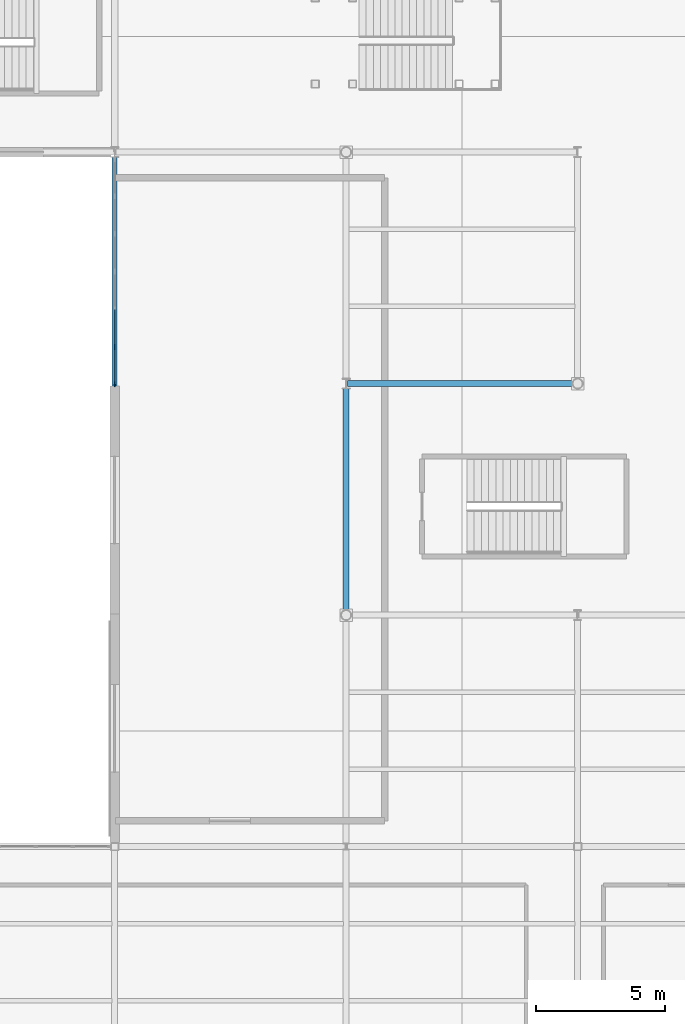
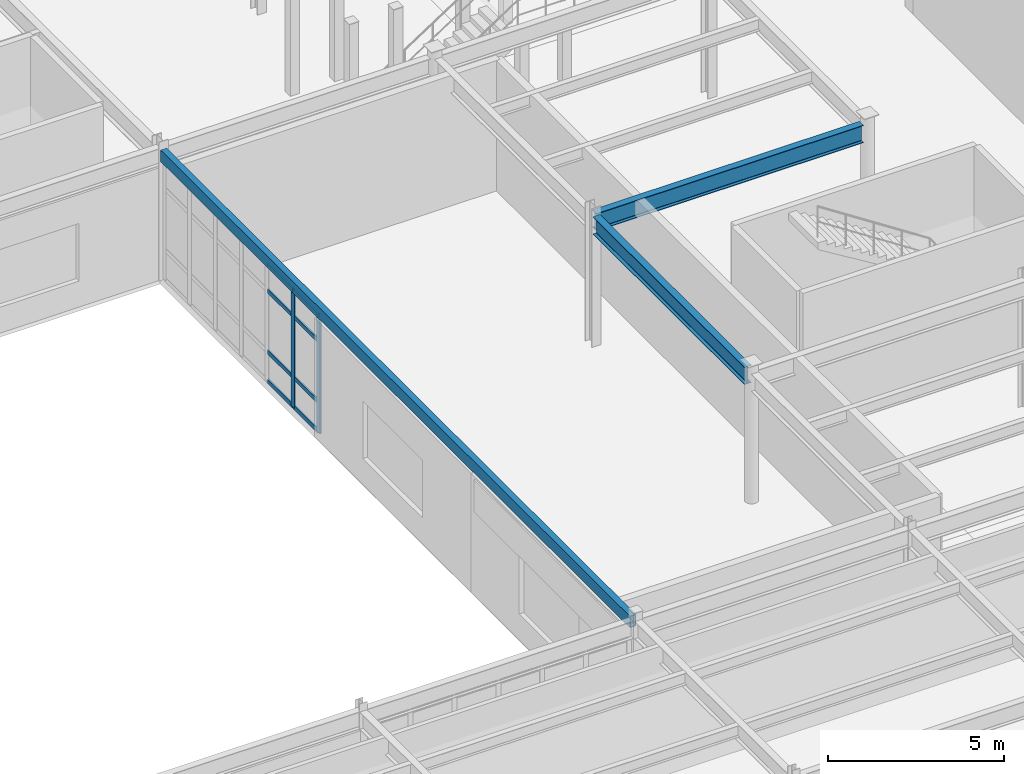
# One storey, part 28 of 84: 10 members, 3 beams, 1 element without a shape of its own.
"""IFC4 building model written with IfcOpenShell, lengths in metres."""

from ifc_helpers import new_model, si_unit, direction, frame, origin, origin_2d, place, context, subcontext, project, spatial, rectangle, hollow_rectangle, i_section, extrude, material, material_profile, profile_set, type_object, element, aggregate, save


model = new_model("IFC4")

# Units and contexts
model_context = context("Model", 3, precision=1e-05, world=origin(), true_north=direction((0.0, 1.0)))
body_context = subcontext(model_context, "Body", "Model", "MODEL_VIEW")
ifc_project = project(units=[si_unit("LENGTHUNIT", "METRE"), si_unit("AREAUNIT", "SQUARE_METRE"), si_unit("VOLUMEUNIT", "CUBIC_METRE"), si_unit("PLANEANGLEUNIT", "RADIAN"), si_unit("MASSUNIT", "GRAM", prefix="KILO")], contexts=[model_context])

# Site, building, storey
site_placement = place(None, origin())
site = spatial("IfcSite", under=ifc_project, at=site_placement, CompositionType="ELEMENT")
building_placement = place(site_placement, origin())
building = spatial("IfcBuilding", under=site, at=building_placement, Name="Glasvene Arena", CompositionType="ELEMENT")
storey_placement = place(building_placement, frame((0.0, 0.0, 10.199951171875)))
storey = spatial("IfcBuildingStorey", under=building, at=storey_placement, Name="L02", CompositionType="ELEMENT", Elevation=10.199951171875)

# Beams
ifc_material_1 = material(Name="Steel S355J2", Category="steel")
ifc_material_profile_1 = material_profile(ifc_material_1, i_section(OverallWidth=0.228271484375, OverallDepth=0.607666015625, WebThickness=0.010986328125, FlangeThickness=0.017333984375, FilletRadius=0.0126953125, at=origin_2d()), Name="UKB 610x229x113")
ifc_profile_set_1 = profile_set([ifc_material_profile_1], Name="Steel S355J2")
beam_type_1 = type_object("IfcBeamType", Name="BM-GIRD-610", PredefinedType="BEAM", material=ifc_profile_set_1)
beam_1_placement = place(storey_placement, frame((27.050048828125, 45.0, 4.21630859375), z_axis=(1.0, 0.0, 0.0), x_axis=(0.0, 1.0, 0.0)))
element("IfcBeam", 1, at=beam_1_placement, inside=storey, type_object=beam_type_1, Name="Primary X girder L02-0806", PredefinedType="BEAM", context=body_context, shape_type="SweptSolid", body=[
    extrude(i_section(OverallWidth=0.228271484375, OverallDepth=0.607666015625, WebThickness=0.010986328125, FlangeThickness=0.017333984375, FilletRadius=0.0126953125, at=origin_2d()), origin(), (0.0, 0.0, 1.0), 8.751708984375),
])
beam_2_placement = place(storey_placement, frame((27.0, 36.1982421875, 4.21630859375), z_axis=(0.0, 1.0, 0.0), x_axis=(-1.0, 0.0, 0.0)))
element("IfcBeam", 2, at=beam_2_placement, inside=storey, type_object=beam_type_1, Name="Primary Y girder L02-0858", PredefinedType="BEAM", context=body_context, shape_type="SweptSolid", body=[
    extrude(i_section(OverallWidth=0.228271484375, OverallDepth=0.607666015625, WebThickness=0.010986328125, FlangeThickness=0.017333984375, FilletRadius=0.0126953125, at=origin_2d()), origin(), (0.0, 0.0, 1.0), 8.606689453125),
])
ifc_material_profile_2 = material_profile(ifc_material_1, hollow_rectangle(XDim=0.199951171875, YDim=0.39990234375, WallThickness=0.01611328125, at=origin_2d()), Name="RHS 400x200x16.0")
ifc_profile_set_2 = profile_set([ifc_material_profile_2], Name="Steel S355J2")
beam_type_2 = type_object("IfcBeamType", Name="BM-SPAND-400", PredefinedType="SPANDREL", material=ifc_profile_set_2)
beam_3_placement = place(storey_placement, frame((18.0, 27.14501953125, 4.320068359375), z_axis=(0.0, 1.0, 0.0), x_axis=(-1.0, 0.0, 0.0)))
element("IfcBeam", 3, at=beam_3_placement, inside=storey, type_object=beam_type_2, Name="Primary Y girder L02-0849", PredefinedType="SPANDREL", context=body_context, shape_type="SweptSolid", body=[
    extrude(hollow_rectangle(XDim=0.199951171875, YDim=0.39990234375, WallThickness=0.01611328125, at=origin_2d()), origin(), (0.0, 0.0, 1.0), 26.659912109375),
])

# Curtain wall, members
ifc_material_2 = material(Name="Low-emissivity laminated double glazing", Category="glass")
curtain_wall_type = type_object("IfcCurtainWallType", Name="CW-FAC-L02-880x406", PredefinedType="USERDEFINED", material=ifc_material_2)
curtain_wall_placement = place(storey_placement, frame((18.0, 44.9560546875, 0.0)))
curtain_wall = element("IfcCurtainWall", 4, at=curtain_wall_placement, inside=storey, type_object=curtain_wall_type, Name="Unitised curtain wall CW-F-L02-180-180-494-82", ObjectType="CURTAIN WALL", PredefinedType="USERDEFINED")
ifc_material_3 = material(Name="Anodised architectural aluminium", Category="aluminium")
ifc_material_profile_3 = material_profile(ifc_material_3, rectangle(XDim=0.050048828125, YDim=0.199951171875, at=origin_2d()), Name="ALU MULLION 50x200")
ifc_profile_set_3 = profile_set([ifc_material_profile_3], Name="Anodised architectural aluminium")
member_type_1 = type_object("IfcMemberType", Name="CW-MUL-180", PredefinedType="MULLION", material=ifc_profile_set_3)
member_1_placement = place(storey_placement, frame((18.0, 44.98095703125, 0.06005859375), z_axis=(0.0, 0.0, 1.0), x_axis=(-1.0, 0.0, 0.0)))
member_1 = element("IfcMember", 5, at=member_1_placement, type_object=member_type_1, Name="CW-031 mullion 1", PredefinedType="MULLION", context=body_context, shape_type="SweptSolid", body=[
    extrude(rectangle(XDim=0.050048828125, YDim=0.199951171875, at=origin_2d()), origin(), (0.0, 0.0, 1.0), 4.054931640625),
])
member_2_placement = place(storey_placement, frame((18.0, 46.423095703125, 0.06005859375), z_axis=(0.0, 0.0, 1.0), x_axis=(-1.0, 0.0, 0.0)))
member_2 = element("IfcMember", 6, at=member_2_placement, type_object=member_type_1, Name="CW-031 mullion 2", PredefinedType="MULLION", context=body_context, shape_type="SweptSolid", body=[
    extrude(rectangle(XDim=0.050048828125, YDim=0.199951171875, at=origin_2d()), origin(), (0.0, 0.0, 1.0), 4.054931640625),
])
ifc_material_profile_4 = material_profile(ifc_material_3, rectangle(XDim=0.050048828125, YDim=0.14990234375, at=origin_2d()), Name="ALU TRANSOM 50x150")
ifc_profile_set_4 = profile_set([ifc_material_profile_4], Name="Anodised architectural aluminium")
member_type_2 = type_object("IfcMemberType", Name="CW-TRN-150", PredefinedType="USERDEFINED", material=ifc_profile_set_4)
member_3_placement = place(storey_placement, frame((18.0, 45.006103515625, 0.0849609375), z_axis=(0.0, 1.0, 0.0), x_axis=(-1.0, 0.0, 0.0)))
member_3 = element("IfcMember", 7, at=member_3_placement, type_object=member_type_2, Name="CW-031 transom 1.1", ObjectType="TRANSOM", PredefinedType="USERDEFINED", context=body_context, shape_type="SweptSolid", body=[
    extrude(rectangle(XDim=0.050048828125, YDim=0.14990234375, at=origin_2d()), origin(), (0.0, 0.0, 1.0), 1.391845703125),
])
member_4_placement = place(storey_placement, frame((18.0, 45.006103515625, 1.10009765625), z_axis=(0.0, 1.0, 0.0), x_axis=(-1.0, 0.0, 0.0)))
member_4 = element("IfcMember", 8, at=member_4_placement, type_object=member_type_2, Name="CW-031 transom 1.2", ObjectType="TRANSOM", PredefinedType="USERDEFINED", context=body_context, shape_type="SweptSolid", body=[
    extrude(rectangle(XDim=0.050048828125, YDim=0.14990234375, at=origin_2d()), origin(), (0.0, 0.0, 1.0), 1.391845703125),
])
member_5_placement = place(storey_placement, frame((18.0, 45.006103515625, 3.215087890625), z_axis=(0.0, 1.0, 0.0), x_axis=(-1.0, 0.0, 0.0)))
member_5 = element("IfcMember", 9, at=member_5_placement, type_object=member_type_2, Name="CW-031 transom 1.3", ObjectType="TRANSOM", PredefinedType="USERDEFINED", context=body_context, shape_type="SweptSolid", body=[
    extrude(rectangle(XDim=0.050048828125, YDim=0.14990234375, at=origin_2d()), origin(), (0.0, 0.0, 1.0), 1.391845703125),
])
member_6_placement = place(storey_placement, frame((18.0, 45.006103515625, 4.090087890625), z_axis=(0.0, 1.0, 0.0), x_axis=(-1.0, 0.0, 0.0)))
member_6 = element("IfcMember", 10, at=member_6_placement, type_object=member_type_2, Name="CW-031 transom 1.4", ObjectType="TRANSOM", PredefinedType="USERDEFINED", context=body_context, shape_type="SweptSolid", body=[
    extrude(rectangle(XDim=0.050048828125, YDim=0.14990234375, at=origin_2d()), origin(), (0.0, 0.0, 1.0), 1.391845703125),
])
member_7_placement = place(storey_placement, frame((18.0, 46.447998046875, 0.0849609375), z_axis=(0.0, 1.0, 0.0), x_axis=(-1.0, 0.0, 0.0)))
member_7 = element("IfcMember", 11, at=member_7_placement, type_object=member_type_2, Name="CW-031 transom 2.1", ObjectType="TRANSOM", PredefinedType="USERDEFINED", context=body_context, shape_type="SweptSolid", body=[
    extrude(rectangle(XDim=0.050048828125, YDim=0.14990234375, at=origin_2d()), origin(), (0.0, 0.0, 1.0), 1.4169921875),
])
member_8_placement = place(storey_placement, frame((18.0, 46.447998046875, 1.10009765625), z_axis=(0.0, 1.0, 0.0), x_axis=(-1.0, 0.0, 0.0)))
member_8 = element("IfcMember", 12, at=member_8_placement, type_object=member_type_2, Name="CW-031 transom 2.2", ObjectType="TRANSOM", PredefinedType="USERDEFINED", context=body_context, shape_type="SweptSolid", body=[
    extrude(rectangle(XDim=0.050048828125, YDim=0.14990234375, at=origin_2d()), origin(), (0.0, 0.0, 1.0), 1.4169921875),
])
member_9_placement = place(storey_placement, frame((18.0, 46.447998046875, 3.215087890625), z_axis=(0.0, 1.0, 0.0), x_axis=(-1.0, 0.0, 0.0)))
member_9 = element("IfcMember", 13, at=member_9_placement, type_object=member_type_2, Name="CW-031 transom 2.3", ObjectType="TRANSOM", PredefinedType="USERDEFINED", context=body_context, shape_type="SweptSolid", body=[
    extrude(rectangle(XDim=0.050048828125, YDim=0.14990234375, at=origin_2d()), origin(), (0.0, 0.0, 1.0), 1.4169921875),
])
member_10_placement = place(storey_placement, frame((18.0, 46.447998046875, 4.090087890625), z_axis=(0.0, 1.0, 0.0), x_axis=(-1.0, 0.0, 0.0)))
member_10 = element("IfcMember", 14, at=member_10_placement, type_object=member_type_2, Name="CW-031 transom 2.4", ObjectType="TRANSOM", PredefinedType="USERDEFINED", context=body_context, shape_type="SweptSolid", body=[
    extrude(rectangle(XDim=0.050048828125, YDim=0.14990234375, at=origin_2d()), origin(), (0.0, 0.0, 1.0), 1.4169921875),
])
aggregate(curtain_wall, [member_1, member_2, member_3, member_4, member_5, member_6, member_7, member_8, member_9, member_10])

save(model, "model.ifc")
